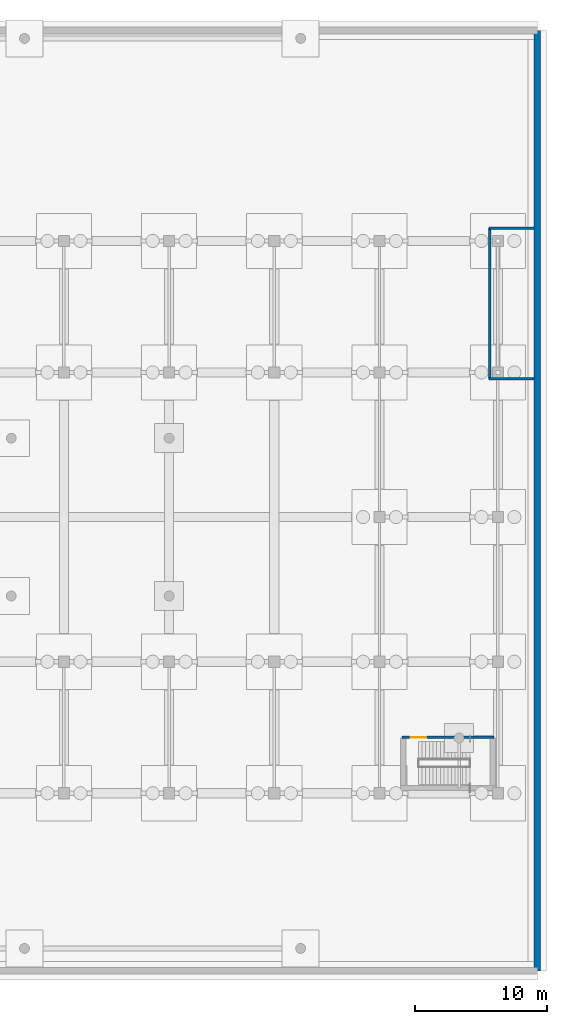
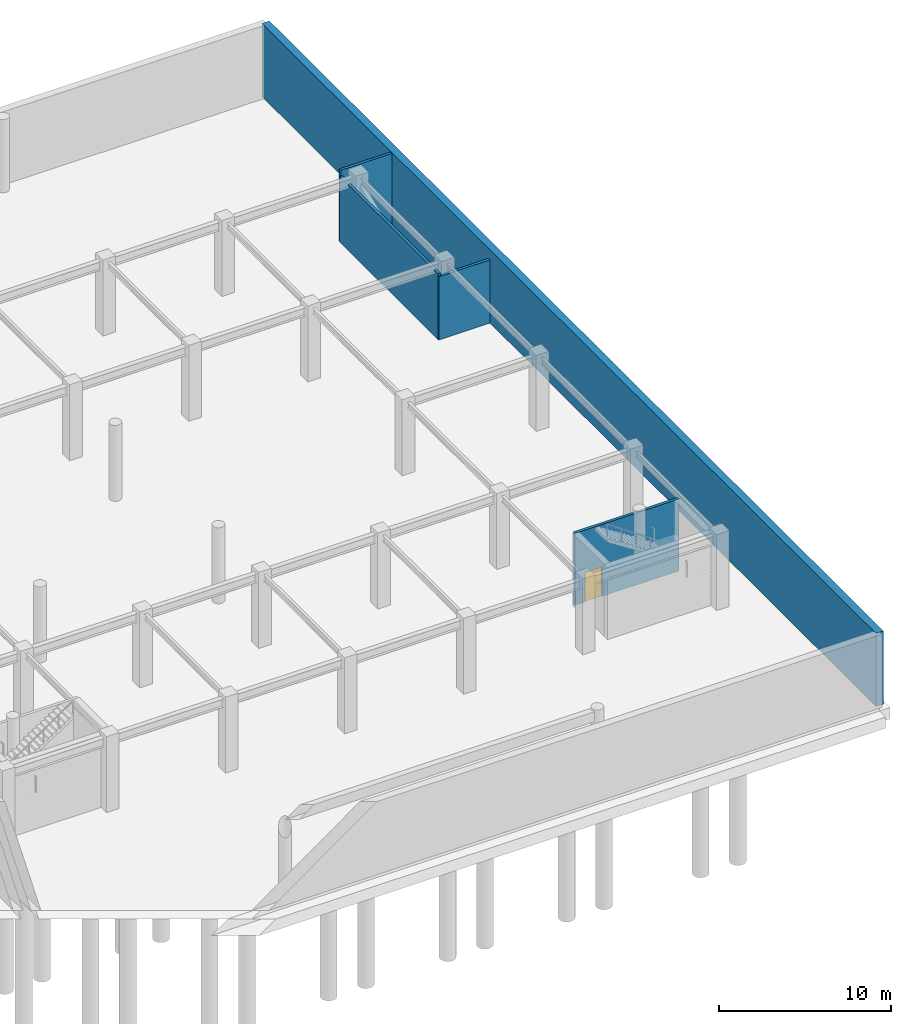
# One storey, part 13 of 22: 5 walls, 1 door, 1 opening.
"""IFC4 building model written with IfcOpenShell, lengths in metres."""

from ifc_helpers import new_model, si_unit, direction, frame, frame_2d, origin, place, context, subcontext, project, spatial, rectangle, extrude, material, layer, layer_set, type_object, element, fill, save


model = new_model("IFC4")

# Units and contexts
model_context = context("Model", 3, precision=1e-05, world=origin(), true_north=direction((0.0, 1.0)))
body_context = subcontext(model_context, "Body", "Model", "MODEL_VIEW")
ifc_project = project(units=[si_unit("LENGTHUNIT", "METRE"), si_unit("AREAUNIT", "SQUARE_METRE"), si_unit("VOLUMEUNIT", "CUBIC_METRE"), si_unit("PLANEANGLEUNIT", "RADIAN"), si_unit("MASSUNIT", "GRAM", prefix="KILO")], contexts=[model_context])

# Site, building, storey
site_placement = place(None, origin())
site = spatial("IfcSite", under=ifc_project, at=site_placement, CompositionType="ELEMENT")
building_placement = place(site_placement, origin())
building = spatial("IfcBuilding", under=site, at=building_placement, Name="Kazevale Care Tower and Concert Hall", CompositionType="ELEMENT")
storey_placement = place(building_placement, frame((0.0, 0.0, -5.39990234375)))
storey = spatial("IfcBuildingStorey", under=building, at=storey_placement, Name="B1", CompositionType="ELEMENT", Elevation=-5.39990234375)

# Wall
ifc_material_1 = material(Name="Concrete C50", Category="concrete")
ifc_layer_1 = layer(ifc_material_1, 0.5)
ifc_layer_set_1 = layer_set([ifc_layer_1], Name="Concrete C50")
wall_type_1 = type_object("IfcWallType", Name="Basement Perimeter Retaining Wall 500 C50", PredefinedType="SHEAR", material=ifc_layer_set_1)
wall_1_placement = place(storey_placement, frame((148.0, 1.5, 0.0), z_axis=(0.0, 0.0, 1.0), x_axis=(0.0, 1.0, 0.0)))
element("IfcWall", 1, at=wall_1_placement, inside=storey, type_object=wall_type_1, Name="wall:B1:ret:6", PredefinedType="SHEAR", context=body_context, shape_type="SweptSolid", body=[
    extrude(rectangle(XDim=71.5, YDim=0.5, at=frame_2d((35.75, 0.0))), origin(), (0.0, 0.0, 1.0), 5.199951171875),
])

# Wall, opening, door
ifc_material_2 = material(Name="Concrete C40 and Acoustic Gypsum", Category="concrete")
ifc_layer_2 = layer(ifc_material_2, 0.179931640625)
ifc_layer_set_2 = layer_set([ifc_layer_2], Name="Concrete C40 and Acoustic Gypsum")
wall_type_2 = type_object("IfcWallType", Name="Fire-Rated Corridor & Party Wall 180", PredefinedType="PARTITIONING", material=ifc_layer_set_2)
wall_2_placement = place(storey_placement, frame((137.699951171875, 19.25, 0.0), z_axis=(0.0, 0.0, 1.0), x_axis=(1.0, 0.0, 0.0)))
wall_2 = element("IfcWall", 2, at=wall_2_placement, inside=storey, type_object=wall_type_2, Name="wall:B1:b1_st5_n", PredefinedType="PARTITIONING", context=body_context, shape_type="SweptSolid", body=[
    extrude(rectangle(XDim=7.0, YDim=0.179931640625, at=frame_2d((3.5, 0.0))), origin(), (0.0, 0.0, 1.0), 5.119873046875),
])
opening_placement = place(wall_2_placement, frame((0.68505859375, 0.0, 0.0)))
opening = element("IfcOpeningElement", 3, at=opening_placement, cuts=wall_2, Name="Opening FD-90", PredefinedType="OPENING", context=body_context, shape_type="SweptSolid", body=[
    extrude(rectangle(XDim=1.14990234375, YDim=2.10009765625, at=frame_2d((0.574951171875, 1.050048828125))), frame((0.0, 0.099853515625, 0.0), z_axis=(0.0, -1.0, 0.0), x_axis=(1.0, 0.0, 0.0)), (0.0, 0.0, 1.0), 0.199951171875),
])
ifc_material_3 = material(Name="Steel ASTM A572 Gr 50", Category="steel")
door_type = type_object("IfcDoorType", Name="Pressurized Stair & Lobby Fire Door 1150x2100", OperationType="NOTDEFINED", PredefinedType="DOOR", material=ifc_material_3)
door_placement = place(opening_placement, origin())
door = element("IfcDoor", 4, at=door_placement, inside=storey, type_object=door_type, Name="door:B1:b1_st5d", OperationType="SINGLE_SWING_RIGHT", OverallHeight=2.10009765625, OverallWidth=1.14990234375, PredefinedType="DOOR", context=body_context, shape_type="SweptSolid", body=[
    extrude(rectangle(XDim=1.14990234375, YDim=2.10009765625, at=frame_2d((0.574951171875, 1.050048828125))), frame((0.0, 0.02490234375, 0.0), z_axis=(0.0, -1.0, 0.0), x_axis=(1.0, 0.0, 0.0)), (0.0, 0.0, 1.0), 0.050048828125),
])
fill(opening, door)

# Walls
wall_3_placement = place(storey_placement, frame((144.3798828125, 46.5, 0.0), z_axis=(0.0, 0.0, 1.0), x_axis=(0.0, 1.0, 0.0)))
element("IfcWall", 5, at=wall_3_placement, inside=storey, type_object=wall_type_2, Name="wall:B1:b1_brace_w", PredefinedType="PARTITIONING", context=body_context, shape_type="SweptSolid", body=[
    extrude(rectangle(XDim=11.5, YDim=0.179931640625, at=frame_2d((5.75, 0.0))), origin(), (0.0, 0.0, 1.0), 4.69287109375),
])
wall_4_placement = place(storey_placement, frame((144.320068359375, 46.530029296875, 0.0), z_axis=(0.0, 0.0, 1.0), x_axis=(1.0, 0.0, 0.0)))
element("IfcWall", 6, at=wall_4_placement, inside=storey, type_object=wall_type_2, Name="wall:B1:b1_brace_s", PredefinedType="PARTITIONING", context=body_context, shape_type="SweptSolid", body=[
    extrude(rectangle(XDim=3.429931640625, YDim=0.179931640625, at=frame_2d((1.71484375, 0.0))), origin(), (0.0, 0.0, 1.0), 4.4990234375),
])
wall_5_placement = place(storey_placement, frame((144.320068359375, 57.969970703125, 0.0), z_axis=(0.0, 0.0, 1.0), x_axis=(1.0, 0.0, 0.0)))
element("IfcWall", 7, at=wall_5_placement, inside=storey, type_object=wall_type_2, Name="wall:B1:b1_brace_n", PredefinedType="PARTITIONING", context=body_context, shape_type="SweptSolid", body=[
    extrude(rectangle(XDim=3.429931640625, YDim=0.179931640625, at=frame_2d((1.71484375, 0.0))), origin(), (0.0, 0.0, 1.0), 5.119873046875),
])

save(model, "model.ifc")
